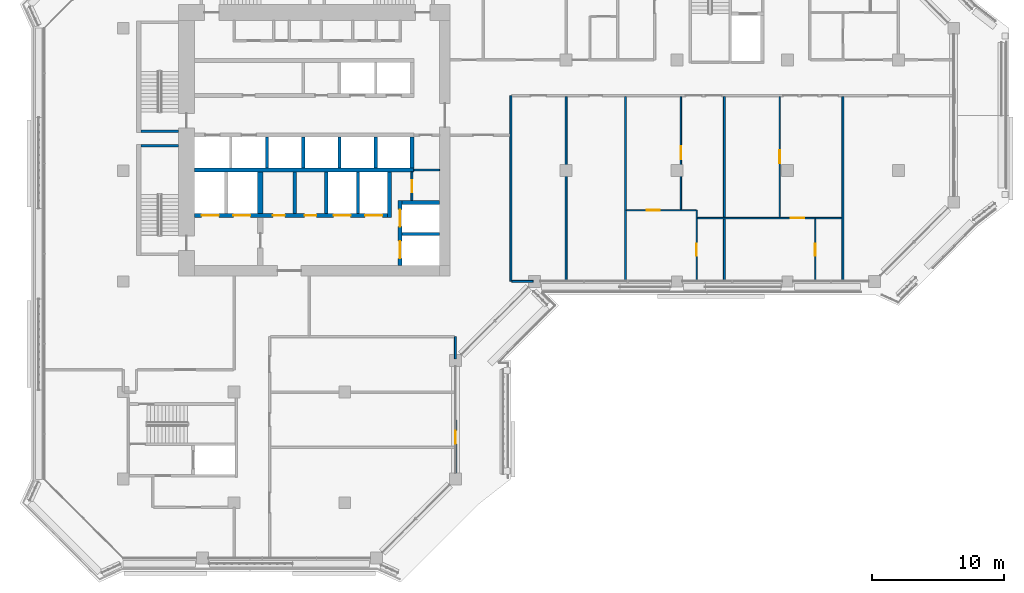
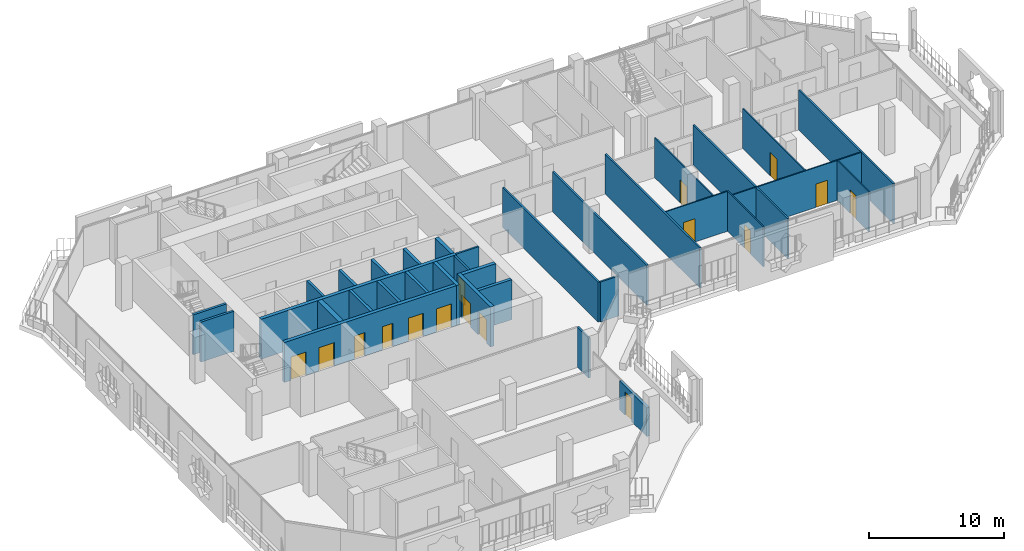
# One storey, part 10 of 20: 33 walls, 16 doors, 16 openings.
"""IFC4 building model written with IfcOpenShell, lengths in metres."""

from ifc_helpers import new_model, si_unit, direction, frame, frame_2d, origin, place, context, subcontext, project, spatial, rectangle, extrude, material, layer, layer_set, type_object, element, fill, save


model = new_model("IFC4")

# Units and contexts
model_context = context("Model", 3, precision=1e-05, world=origin(), true_north=direction((0.0, 1.0)))
body_context = subcontext(model_context, "Body", "Model", "MODEL_VIEW")
ifc_project = project(units=[si_unit("LENGTHUNIT", "METRE"), si_unit("AREAUNIT", "SQUARE_METRE"), si_unit("VOLUMEUNIT", "CUBIC_METRE"), si_unit("PLANEANGLEUNIT", "RADIAN"), si_unit("MASSUNIT", "GRAM", prefix="KILO")], contexts=[model_context])

# Site, building, storey
site_placement = place(None, origin())
site = spatial("IfcSite", under=ifc_project, at=site_placement, CompositionType="ELEMENT")
building_placement = place(site_placement, origin())
building = spatial("IfcBuilding", under=site, at=building_placement, Name="Kawkab Arch Medical Tower", CompositionType="ELEMENT")
storey_placement = place(building_placement, frame((0.0, 0.0, 239.0)))
storey = spatial("IfcBuildingStorey", under=building, at=storey_placement, Name="L55", CompositionType="ELEMENT", Elevation=239.0)

# Wall, opening, door
ifc_material_1 = material(Name="Gypsum board on steel studs", Category="steel")
ifc_layer_1 = layer(ifc_material_1, 0.14990234375)
ifc_layer_set_1 = layer_set([ifc_layer_1], Name="Gypsum board on steel studs")
wall_type_1 = type_object("IfcWallType", Name="Core room partition 150", PredefinedType="PARTITIONING", material=ifc_layer_set_1)
wall_1_placement = place(storey_placement, frame((21.89990234375, -19.050048828125, 0.0), z_axis=(0.0, 0.0, 1.0), x_axis=(0.0, 1.0, 0.0)))
wall_1 = element("IfcWall", 1, at=wall_1_placement, inside=storey, type_object=wall_type_1, Name="L55 core room partition", PredefinedType="PARTITIONING", context=body_context, shape_type="SweptSolid", body=[
    extrude(rectangle(XDim=2.150146484375, YDim=0.14990234375, at=frame_2d((1.0751953125, 0.0))), origin(), (0.0, 0.0, 1.0), 3.60009765625),
])
opening_1_placement = place(wall_1_placement, frame((0.625, 0.0, 0.0)))
opening_1 = element("IfcOpeningElement", 2, at=opening_1_placement, cuts=wall_1, Name="Opening RD", PredefinedType="OPENING", context=body_context, shape_type="SweptSolid", body=[
    extrude(rectangle(XDim=0.89990234375, YDim=2.10009765625, at=frame_2d((0.449951171875, 1.050048828125))), frame((0.0, 0.0849609375, 0.0), z_axis=(0.0, -1.0, 0.0), x_axis=(1.0, 0.0, 0.0)), (0.0, 0.0, 1.0), 0.169921875),
])
ifc_material_2 = material(Name="Hollow metal fire door leaf")
door_type_1 = type_object("IfcDoorType", Name="Core room door 900", OperationType="SINGLE_SWING_LEFT", PredefinedType="DOOR", material=ifc_material_2)
door_1_placement = place(opening_1_placement, origin())
door_1 = element("IfcDoor", 3, at=door_1_placement, inside=storey, type_object=door_type_1, Name="L55 Accessible WC door", OperationType="SINGLE_SWING_LEFT", OverallHeight=2.10009765625, OverallWidth=0.89990234375, PredefinedType="DOOR", context=body_context, shape_type="SweptSolid", body=[
    extrude(rectangle(XDim=0.89990234375, YDim=2.10009765625, at=frame_2d((0.449951171875, 1.050048828125))), frame((0.0, 0.02490234375, 0.0), z_axis=(0.0, -1.0, 0.0), x_axis=(1.0, 0.0, 0.0)), (0.0, 0.0, 1.0), 0.050048828125),
])
fill(opening_1, door_1)

# Walls
wall_2_placement = place(storey_placement, frame((22.050048828125, -16.75, 0.0), z_axis=(0.0, 0.0, 1.0), x_axis=(1.0, 0.0, 0.0)))
element("IfcWall", 4, at=wall_2_placement, inside=storey, type_object=wall_type_1, Name="L55 core room partition", PredefinedType="PARTITIONING", context=body_context, shape_type="SweptSolid", body=[
    extrude(rectangle(XDim=1.949951171875, YDim=0.14990234375, at=frame_2d((0.97509765625, 0.0))), origin(), (0.0, 0.0, 1.0), 3.60009765625),
])
ifc_material_3 = material(Name="Concrete C60/75", Category="concrete")
ifc_layer_2 = layer(ifc_material_3, 0.25)
ifc_layer_set_2 = layer_set([ifc_layer_2], Name="Concrete C60/75")
wall_type_2 = type_object("IfcWallType", Name="Core shear wall 250 C60/75", PredefinedType="SHEAR", material=ifc_layer_set_2)
wall_3_placement = place(storey_placement, frame((21.14990234375, -21.60009765625, 0.0), z_axis=(0.0, 0.0, 1.0), x_axis=(1.0, 0.0, 0.0)))
element("IfcWall", 5, at=wall_3_placement, inside=storey, type_object=wall_type_2, Name="L55 core shear wall", PredefinedType="SHEAR", context=body_context, shape_type="SweptSolid", body=[
    extrude(rectangle(XDim=2.85009765625, YDim=0.25, at=frame_2d((1.425048828125, 0.0))), origin(), (0.0, 0.0, 1.0), 3.60009765625),
])
for number, where, z_axis, x_axis, name in (
    (6, (13.0, -20.050048828125, 0.0), (0.0, 0.0, 1.0), (0.0, 1.0, 0.0), "L55 core shear wall"),
    (7, (15.39990234375, -20.050048828125, 0.0), (0.0, 0.0, 1.0), (0.0, 1.0, 0.0), "L55 core shear wall"),
    (8, (17.800048828125, -20.050048828125, 0.0), (0.0, 0.0, 1.0), (0.0, 1.0, 0.0), "L55 core shear wall"),
):
    element("IfcWall", number, at=place(storey_placement, frame(where, z_axis=z_axis, x_axis=x_axis)), inside=storey, type_object=wall_type_2, Name=name, PredefinedType="SHEAR", context=body_context, shape_type="SweptSolid", body=[
        extrude(rectangle(XDim=3.150146484375, YDim=0.25, at=frame_2d((1.5751953125, 0.0))), origin(), (0.0, 0.0, 1.0), 3.60009765625),
    ])
for number, where, z_axis, x_axis, name in (
    (9, (13.64990234375, -16.60009765625, 0.0), (0.0, 0.0, 1.0), (0.0, 1.0, 0.0), "L55 core shear wall"),
    (10, (16.39990234375, -16.60009765625, 0.0), (0.0, 0.0, 1.0), (0.0, 1.0, 0.0), "L55 core shear wall"),
    (11, (19.14990234375, -16.60009765625, 0.0), (0.0, 0.0, 1.0), (0.0, 1.0, 0.0), "L55 core shear wall"),
):
    element("IfcWall", number, at=place(storey_placement, frame(where, z_axis=z_axis, x_axis=x_axis)), inside=storey, type_object=wall_type_2, Name=name, PredefinedType="SHEAR", context=body_context, shape_type="SweptSolid", body=[
        extrude(rectangle(XDim=2.35009765625, YDim=0.25, at=frame_2d((1.175048828125, 0.0))), origin(), (0.0, 0.0, 1.0), 3.60009765625),
    ])
ifc_material_4 = material(Name="Concrete C60/75", Category="concrete")
ifc_layer_3 = layer(ifc_material_4, 0.300048828125)
ifc_layer_set_3 = layer_set([ifc_layer_3], Name="Concrete C60/75")
wall_type_3 = type_object("IfcWallType", Name="Core shear wall 300 C60/75", PredefinedType="SHEAR", material=ifc_layer_set_3)
wall_4_placement = place(storey_placement, frame((5.39990234375, -16.75, 0.0), z_axis=(0.0, 0.0, 1.0), x_axis=(1.0, 0.0, 0.0)))
element("IfcWall", 12, at=wall_4_placement, inside=storey, type_object=wall_type_3, Name="L55 core shear wall", PredefinedType="SHEAR", context=body_context, shape_type="SweptSolid", body=[
    extrude(rectangle(XDim=16.650146484375, YDim=0.300048828125, at=frame_2d((8.3251953125, 0.0))), origin(), (0.0, 0.0, 1.0), 3.60009765625),
])

# Wall, openings, doors
wall_5_placement = place(storey_placement, frame((5.39990234375, -20.199951171875, 0.0), z_axis=(0.0, 0.0, 1.0), x_axis=(1.0, 0.0, 0.0)))
wall_5 = element("IfcWall", 13, at=wall_5_placement, inside=storey, type_object=wall_type_3, Name="L55 core shear wall", PredefinedType="SHEAR", context=body_context, shape_type="SweptSolid", body=[
    extrude(rectangle(XDim=14.650146484375, YDim=0.300048828125, at=frame_2d((7.3251953125, 0.0))), origin(), (0.0, 0.0, 1.0), 3.60009765625),
])
opening_2_placement = place(wall_5_placement, frame((10.550048828125, 0.0, 0.0)))
opening_2 = element("IfcOpeningElement", 14, at=opening_2_placement, cuts=wall_5, Name="Opening LD2", PredefinedType="OPENING", context=body_context, shape_type="SweptSolid", body=[
    extrude(rectangle(XDim=1.300048828125, YDim=2.10009765625, at=frame_2d((0.64990234375, 1.050048828125))), frame((0.0, 0.159912109375, 0.0), z_axis=(0.0, -1.0, 0.0), x_axis=(1.0, 0.0, 0.0)), (0.0, 0.0, 1.0), 0.320068359375),
])
opening_3_placement = place(wall_5_placement, frame((12.949951171875, 0.0, 0.0)))
opening_3 = element("IfcOpeningElement", 15, at=opening_3_placement, cuts=wall_5, Name="Opening LD2", PredefinedType="OPENING", context=body_context, shape_type="SweptSolid", body=[
    extrude(rectangle(XDim=1.300048828125, YDim=2.10009765625, at=frame_2d((0.64990234375, 1.050048828125))), frame((0.0, 0.159912109375, 0.0), z_axis=(0.0, -1.0, 0.0), x_axis=(1.0, 0.0, 0.0)), (0.0, 0.0, 1.0), 0.320068359375),
])
opening_4_placement = place(wall_5_placement, frame((0.550048828125, 0.0, 0.0)))
opening_4 = element("IfcOpeningElement", 16, at=opening_4_placement, cuts=wall_5, Name="Opening LD2", PredefinedType="OPENING", context=body_context, shape_type="SweptSolid", body=[
    extrude(rectangle(XDim=1.300048828125, YDim=2.10009765625, at=frame_2d((0.64990234375, 1.050048828125))), frame((0.0, 0.159912109375, 0.0), z_axis=(0.0, -1.0, 0.0), x_axis=(1.0, 0.0, 0.0)), (0.0, 0.0, 1.0), 0.320068359375),
])
opening_5_placement = place(wall_5_placement, frame((2.949951171875, 0.0, 0.0)))
opening_5 = element("IfcOpeningElement", 17, at=opening_5_placement, cuts=wall_5, Name="Opening LD2", PredefinedType="OPENING", context=body_context, shape_type="SweptSolid", body=[
    extrude(rectangle(XDim=1.300048828125, YDim=2.10009765625, at=frame_2d((0.64990234375, 1.050048828125))), frame((0.0, 0.159912109375, 0.0), z_axis=(0.0, -1.0, 0.0), x_axis=(1.0, 0.0, 0.0)), (0.0, 0.0, 1.0), 0.320068359375),
])
opening_6_placement = place(wall_5_placement, frame((5.949951171875, 0.0, 0.0)))
opening_6 = element("IfcOpeningElement", 18, at=opening_6_placement, cuts=wall_5, Name="Opening RD", PredefinedType="OPENING", context=body_context, shape_type="SweptSolid", body=[
    extrude(rectangle(XDim=0.89990234375, YDim=2.10009765625, at=frame_2d((0.449951171875, 1.050048828125))), frame((0.0, 0.159912109375, 0.0), z_axis=(0.0, -1.0, 0.0), x_axis=(1.0, 0.0, 0.0)), (0.0, 0.0, 1.0), 0.320068359375),
])
opening_7_placement = place(wall_5_placement, frame((8.35009765625, 0.0, 0.0)))
opening_7 = element("IfcOpeningElement", 19, at=opening_7_placement, cuts=wall_5, Name="Opening RD", PredefinedType="OPENING", context=body_context, shape_type="SweptSolid", body=[
    extrude(rectangle(XDim=0.89990234375, YDim=2.10009765625, at=frame_2d((0.449951171875, 1.050048828125))), frame((0.0, 0.159912109375, 0.0), z_axis=(0.0, -1.0, 0.0), x_axis=(1.0, 0.0, 0.0)), (0.0, 0.0, 1.0), 0.320068359375),
])
door_2_placement = place(opening_6_placement, origin())
door_2 = element("IfcDoor", 20, at=door_2_placement, inside=storey, type_object=door_type_1, Name="L55 Dirty utility room door", OperationType="SINGLE_SWING_LEFT", OverallHeight=2.10009765625, OverallWidth=0.89990234375, PredefinedType="DOOR", context=body_context, shape_type="SweptSolid", body=[
    extrude(rectangle(XDim=0.89990234375, YDim=2.10009765625, at=frame_2d((0.449951171875, 1.050048828125))), frame((0.0, 0.02490234375, 0.0), z_axis=(0.0, -1.0, 0.0), x_axis=(1.0, 0.0, 0.0)), (0.0, 0.0, 1.0), 0.050048828125),
])
fill(opening_6, door_2)
door_3_placement = place(opening_7_placement, origin())
door_3 = element("IfcDoor", 21, at=door_3_placement, inside=storey, type_object=door_type_1, Name="L55 Medication store door", OperationType="SINGLE_SWING_LEFT", OverallHeight=2.10009765625, OverallWidth=0.89990234375, PredefinedType="DOOR", context=body_context, shape_type="SweptSolid", body=[
    extrude(rectangle(XDim=0.89990234375, YDim=2.10009765625, at=frame_2d((0.449951171875, 1.050048828125))), frame((0.0, 0.02490234375, 0.0), z_axis=(0.0, -1.0, 0.0), x_axis=(1.0, 0.0, 0.0)), (0.0, 0.0, 1.0), 0.050048828125),
])
fill(opening_7, door_3)
ifc_material_5 = material(Name="Stainless steel lift door leaf", Category="steel")
door_type_2 = type_object("IfcDoorType", Name="Lift landing door 1300", OperationType="DOUBLE_DOOR_SLIDING", PredefinedType="DOOR", material=ifc_material_5)
door_4_placement = place(opening_2_placement, origin())
door_4 = element("IfcDoor", 22, at=door_4_placement, inside=storey, type_object=door_type_2, Name="L55 Lift landing door BD3", OperationType="DOUBLE_DOOR_SLIDING", OverallHeight=2.10009765625, OverallWidth=1.300048828125, PredefinedType="DOOR", context=body_context, shape_type="SweptSolid", body=[
    extrude(rectangle(XDim=1.300048828125, YDim=2.10009765625, at=frame_2d((0.64990234375, 1.050048828125))), frame((0.0, 0.02490234375, 0.0), z_axis=(0.0, -1.0, 0.0), x_axis=(1.0, 0.0, 0.0)), (0.0, 0.0, 1.0), 0.050048828125),
])
fill(opening_2, door_4)
door_5_placement = place(opening_3_placement, origin())
door_5 = element("IfcDoor", 23, at=door_5_placement, inside=storey, type_object=door_type_2, Name="L55 Lift landing door BD4", OperationType="DOUBLE_DOOR_SLIDING", OverallHeight=2.10009765625, OverallWidth=1.300048828125, PredefinedType="DOOR", context=body_context, shape_type="SweptSolid", body=[
    extrude(rectangle(XDim=1.300048828125, YDim=2.10009765625, at=frame_2d((0.64990234375, 1.050048828125))), frame((0.0, 0.02490234375, 0.0), z_axis=(0.0, -1.0, 0.0), x_axis=(1.0, 0.0, 0.0)), (0.0, 0.0, 1.0), 0.050048828125),
])
fill(opening_3, door_5)
door_6_placement = place(opening_4_placement, origin())
door_6 = element("IfcDoor", 24, at=door_6_placement, inside=storey, type_object=door_type_2, Name="L55 Lift landing door FL1", OperationType="DOUBLE_DOOR_SLIDING", OverallHeight=2.10009765625, OverallWidth=1.300048828125, PredefinedType="DOOR", context=body_context, shape_type="SweptSolid", body=[
    extrude(rectangle(XDim=1.300048828125, YDim=2.10009765625, at=frame_2d((0.64990234375, 1.050048828125))), frame((0.0, 0.02490234375, 0.0), z_axis=(0.0, -1.0, 0.0), x_axis=(1.0, 0.0, 0.0)), (0.0, 0.0, 1.0), 0.050048828125),
])
fill(opening_4, door_6)
door_7_placement = place(opening_5_placement, origin())
door_7 = element("IfcDoor", 25, at=door_7_placement, inside=storey, type_object=door_type_2, Name="L55 Lift landing door FL2", OperationType="DOUBLE_DOOR_SLIDING", OverallHeight=2.10009765625, OverallWidth=1.300048828125, PredefinedType="DOOR", context=body_context, shape_type="SweptSolid", body=[
    extrude(rectangle(XDim=1.300048828125, YDim=2.10009765625, at=frame_2d((0.64990234375, 1.050048828125))), frame((0.0, 0.02490234375, 0.0), z_axis=(0.0, -1.0, 0.0), x_axis=(1.0, 0.0, 0.0)), (0.0, 0.0, 1.0), 0.050048828125),
])
fill(opening_5, door_7)

# Walls
wall_6_placement = place(storey_placement, frame((20.199951171875, -20.35009765625, 0.0), z_axis=(0.0, 0.0, 1.0), x_axis=(0.0, 1.0, 0.0)))
element("IfcWall", 26, at=wall_6_placement, inside=storey, type_object=wall_type_3, Name="L55 core shear wall", PredefinedType="SHEAR", context=body_context, shape_type="SweptSolid", body=[
    extrude(rectangle(XDim=3.4501953125, YDim=0.300048828125, at=frame_2d((1.72509765625, 0.0))), origin(), (0.0, 0.0, 1.0), 3.60009765625),
])
wall_7_placement = place(storey_placement, frame((21.89990234375, -16.60009765625, 0.0), z_axis=(0.0, 0.0, 1.0), x_axis=(0.0, 1.0, 0.0)))
element("IfcWall", 27, at=wall_7_placement, inside=storey, type_object=wall_type_3, Name="L55 core shear wall", PredefinedType="SHEAR", context=body_context, shape_type="SweptSolid", body=[
    extrude(rectangle(XDim=2.35009765625, YDim=0.300048828125, at=frame_2d((1.175048828125, 0.0))), origin(), (0.0, 0.0, 1.0), 3.60009765625),
])
wall_8_placement = place(storey_placement, frame((21.14990234375, -19.199951171875, 0.0), z_axis=(0.0, 0.0, 1.0), x_axis=(1.0, 0.0, 0.0)))
element("IfcWall", 28, at=wall_8_placement, inside=storey, type_object=wall_type_3, Name="L55 core shear wall", PredefinedType="SHEAR", context=body_context, shape_type="SweptSolid", body=[
    extrude(rectangle(XDim=2.85009765625, YDim=0.300048828125, at=frame_2d((1.425048828125, 0.0))), origin(), (0.0, 0.0, 1.0), 3.60009765625),
])

# Wall, openings, doors
wall_9_placement = place(storey_placement, frame((21.0, -24.0, 0.0), z_axis=(0.0, 0.0, 1.0), x_axis=(0.0, 1.0, 0.0)))
wall_9 = element("IfcWall", 29, at=wall_9_placement, inside=storey, type_object=wall_type_3, Name="L55 core shear wall", PredefinedType="SHEAR", context=body_context, shape_type="SweptSolid", body=[
    extrude(rectangle(XDim=4.949951171875, YDim=0.300048828125, at=frame_2d((2.47509765625, 0.0))), origin(), (0.0, 0.0, 1.0), 3.60009765625),
])
opening_8_placement = place(wall_9_placement, frame((2.949951171875, 0.0, 0.0)))
opening_8 = element("IfcOpeningElement", 30, at=opening_8_placement, cuts=wall_9, Name="Opening LD2", PredefinedType="OPENING", context=body_context, shape_type="SweptSolid", body=[
    extrude(rectangle(XDim=1.300048828125, YDim=2.10009765625, at=frame_2d((0.64990234375, 1.050048828125))), frame((0.0, 0.159912109375, 0.0), z_axis=(0.0, -1.0, 0.0), x_axis=(1.0, 0.0, 0.0)), (0.0, 0.0, 1.0), 0.320068359375),
])
opening_9_placement = place(wall_9_placement, frame((0.550048828125, 0.0, 0.0)))
opening_9 = element("IfcOpeningElement", 31, at=opening_9_placement, cuts=wall_9, Name="Opening LD2", PredefinedType="OPENING", context=body_context, shape_type="SweptSolid", body=[
    extrude(rectangle(XDim=1.300048828125, YDim=2.10009765625, at=frame_2d((0.64990234375, 1.050048828125))), frame((0.0, 0.159912109375, 0.0), z_axis=(0.0, -1.0, 0.0), x_axis=(1.0, 0.0, 0.0)), (0.0, 0.0, 1.0), 0.320068359375),
])
door_8_placement = place(opening_8_placement, origin())
door_8 = element("IfcDoor", 32, at=door_8_placement, inside=storey, type_object=door_type_2, Name="L55 Lift landing door BD1", OperationType="DOUBLE_DOOR_SLIDING", OverallHeight=2.10009765625, OverallWidth=1.300048828125, PredefinedType="DOOR", context=body_context, shape_type="SweptSolid", body=[
    extrude(rectangle(XDim=1.300048828125, YDim=2.10009765625, at=frame_2d((0.64990234375, 1.050048828125))), frame((0.0, 0.02490234375, 0.0), z_axis=(0.0, -1.0, 0.0), x_axis=(1.0, 0.0, 0.0)), (0.0, 0.0, 1.0), 0.050048828125),
])
fill(opening_8, door_8)
door_9_placement = place(opening_9_placement, origin())
door_9 = element("IfcDoor", 33, at=door_9_placement, inside=storey, type_object=door_type_2, Name="L55 Lift landing door BD2", OperationType="DOUBLE_DOOR_SLIDING", OverallHeight=2.10009765625, OverallWidth=1.300048828125, PredefinedType="DOOR", context=body_context, shape_type="SweptSolid", body=[
    extrude(rectangle(XDim=1.300048828125, YDim=2.10009765625, at=frame_2d((0.64990234375, 1.050048828125))), frame((0.0, 0.02490234375, 0.0), z_axis=(0.0, -1.0, 0.0), x_axis=(1.0, 0.0, 0.0)), (0.0, 0.0, 1.0), 0.050048828125),
])
fill(opening_9, door_9)

# Wall
ifc_material_6 = material(Name="Concrete C60/75", Category="concrete")
ifc_layer_4 = layer(ifc_material_6, 0.39990234375)
ifc_layer_set_4 = layer_set([ifc_layer_4], Name="Concrete C60/75")
wall_type_4 = type_object("IfcWallType", Name="Core shear wall 400 C60/75", PredefinedType="SHEAR", material=ifc_layer_set_4)
wall_10_placement = place(storey_placement, frame((10.39990234375, -20.050048828125, 0.0), z_axis=(0.0, 0.0, 1.0), x_axis=(0.0, 1.0, 0.0)))
element("IfcWall", 34, at=wall_10_placement, inside=storey, type_object=wall_type_4, Name="L55 core shear wall", PredefinedType="SHEAR", context=body_context, shape_type="SweptSolid", body=[
    extrude(rectangle(XDim=3.150146484375, YDim=0.39990234375, at=frame_2d((1.5751953125, 0.0))), origin(), (0.0, 0.0, 1.0), 3.60009765625),
])

# Wall, opening, door
ifc_material_7 = material(Name="Bronze clad insulated wall panel")
ifc_layer_5 = layer(ifc_material_7, 0.25)
ifc_layer_set_5 = layer_set([ifc_layer_5], Name="Bronze clad insulated wall panel")
wall_type_5 = type_object("IfcWallType", Name="External wall bay 250", PredefinedType="SOLIDWALL", material=ifc_layer_set_5)
wall_11_placement = place(storey_placement, frame((25.199951171875, -39.75, 0.0), z_axis=(0.0, 0.0, 1.0), x_axis=(0.0, 1.0, 0.0)))
wall_11 = element("IfcWall", 35, at=wall_11_placement, inside=storey, type_object=wall_type_5, Name="External wall bay L55.R05.1.1", PredefinedType="SOLIDWALL", context=body_context, shape_type="SweptSolid", body=[
    extrude(rectangle(XDim=4.050048828125, YDim=0.25, at=frame_2d((2.02490234375, 0.0))), origin(), (0.0, 0.0, 1.0), 2.580078125),
])
opening_10_placement = place(wall_11_placement, frame((2.22509765625, 0.0, 0.0)))
opening_10 = element("IfcOpeningElement", 36, at=opening_10_placement, cuts=wall_11, Name="Opening W55-701", PredefinedType="OPENING", context=body_context, shape_type="SweptSolid", body=[
    extrude(rectangle(XDim=1.0, YDim=2.10009765625, at=frame_2d((0.5, 1.050048828125))), frame((0.0, 0.135009765625, 0.0), z_axis=(0.0, -1.0, 0.0), x_axis=(1.0, 0.0, 0.0)), (0.0, 0.0, 1.0), 0.27001953125),
])
ifc_material_8 = material(Name="Bronze anodised aluminium door with tinted glass", Category="aluminium")
door_type_3 = type_object("IfcDoorType", Name="Single external door 1000 x 2100", OperationType="SINGLE_SWING_LEFT", PredefinedType="DOOR", material=ifc_material_8)
door_10_placement = place(opening_10_placement, origin())
door_10 = element("IfcDoor", 37, at=door_10_placement, inside=storey, type_object=door_type_3, Name="External door L55.R05.1.1", OperationType="SINGLE_SWING_LEFT", OverallHeight=2.10009765625, OverallWidth=1.0, PredefinedType="DOOR", context=body_context, shape_type="SweptSolid", body=[
    extrude(rectangle(XDim=1.0, YDim=2.10009765625, at=frame_2d((0.5, 1.050048828125))), frame((0.0, 0.02490234375, 0.0), z_axis=(0.0, -1.0, 0.0), x_axis=(1.0, 0.0, 0.0)), (0.0, 0.0, 1.0), 0.050048828125),
])
fill(opening_10, door_10)

# Wall
ifc_material_9 = material(Name="Dense concrete blockwork", Category="masonry")
ifc_layer_6 = layer(ifc_material_9, 0.199951171875)
ifc_layer_set_6 = layer_set([ifc_layer_6], Name="Dense concrete blockwork")
wall_type_6 = type_object("IfcWallType", Name="Lift shaft partition 200", PredefinedType="PARTITIONING", material=ifc_layer_set_6)
wall_12_placement = place(storey_placement, frame((10.89990234375, -16.60009765625, 0.0), z_axis=(0.0, 0.0, 1.0), x_axis=(0.0, 1.0, 0.0)))
element("IfcWall", 38, at=wall_12_placement, inside=storey, type_object=wall_type_6, Name="L55 lift shaft partition", PredefinedType="PARTITIONING", context=body_context, shape_type="SweptSolid", body=[
    extrude(rectangle(XDim=2.35009765625, YDim=0.199951171875, at=frame_2d((1.175048828125, 0.0))), origin(), (0.0, 0.0, 1.0), 3.60009765625),
])

# Wall, opening, door
ifc_material_10 = material(Name="Gypsum board partition on steel studs", Category="steel")
ifc_layer_7 = layer(ifc_material_10, 0.10009765625)
ifc_layer_set_7 = layer_set([ifc_layer_7], Name="Gypsum board partition on steel studs")
wall_type_7 = type_object("IfcWallType", Name="Partition 100", PredefinedType="PARTITIONING", material=ifc_layer_set_7)
wall_13_placement = place(storey_placement, frame((43.550048828125, -20.39990234375, 0.0), z_axis=(0.0, 0.0, 1.0), x_axis=(1.0, 0.0, 0.0)))
wall_13 = element("IfcWall", 39, at=wall_13_placement, inside=storey, type_object=wall_type_7, Name="Partition 100 w001", PredefinedType="PARTITIONING", context=body_context, shape_type="SweptSolid", body=[
    extrude(rectangle(XDim=10.974853515625, YDim=0.10009765625, at=frame_2d((5.4873046875, 0.0))), origin(), (0.0, 0.0, 1.0), 3.60009765625),
])
opening_11_placement = place(wall_13_placement, frame((7.10009765625, 0.0, 0.0)))
opening_11 = element("IfcOpeningElement", 40, at=opening_11_placement, cuts=wall_13, Name="Opening W55-014", PredefinedType="OPENING", context=body_context, shape_type="SweptSolid", body=[
    extrude(rectangle(XDim=1.0, YDim=2.10009765625, at=frame_2d((0.5, 1.050048828125))), frame((0.0, 0.06005859375, 0.0), z_axis=(0.0, -1.0, 0.0), x_axis=(1.0, 0.0, 0.0)), (0.0, 0.0, 1.0), 0.1201171875),
])
ifc_material_11 = material(Name="Timber door leaf", Category="wood")
door_type_4 = type_object("IfcDoorType", Name="Single door 1000x2100", OperationType="NOTDEFINED", PredefinedType="DOOR", material=ifc_material_11)
door_11_placement = place(opening_11_placement, origin())
door_11 = element("IfcDoor", 41, at=door_11_placement, inside=storey, type_object=door_type_4, Name="Door W55-014", OperationType="SINGLE_SWING_LEFT", OverallHeight=2.10009765625, OverallWidth=1.0, PredefinedType="DOOR", context=body_context, shape_type="SweptSolid", body=[
    extrude(rectangle(XDim=1.0, YDim=2.10009765625, at=frame_2d((0.5, 1.050048828125))), frame((0.0, 0.02490234375, 0.0), z_axis=(0.0, -1.0, 0.0), x_axis=(1.0, 0.0, 0.0)), (0.0, 0.0, 1.0), 0.050048828125),
])
fill(opening_11, door_11)

wall_14_placement = place(storey_placement, frame((38.175048828125, -19.800048828125, 0.0), z_axis=(0.0, 0.0, 1.0), x_axis=(1.0, 0.0, 0.0)))
wall_14 = element("IfcWall", 42, at=wall_14_placement, inside=storey, type_object=wall_type_7, Name="Partition 100 w002", PredefinedType="PARTITIONING", context=body_context, shape_type="SweptSolid", body=[
    extrude(rectangle(XDim=5.27490234375, YDim=0.10009765625, at=frame_2d((2.637451171875, 0.0))), origin(), (0.0, 0.0, 1.0), 3.60009765625),
])
opening_12_placement = place(wall_14_placement, frame((1.52490234375, 0.0, 0.0)))
opening_12 = element("IfcOpeningElement", 43, at=opening_12_placement, cuts=wall_14, Name="Opening W55-012", PredefinedType="OPENING", context=body_context, shape_type="SweptSolid", body=[
    extrude(rectangle(XDim=1.0, YDim=2.10009765625, at=frame_2d((0.5, 1.050048828125))), frame((0.0, 0.06005859375, 0.0), z_axis=(0.0, -1.0, 0.0), x_axis=(1.0, 0.0, 0.0)), (0.0, 0.0, 1.0), 0.1201171875),
])
door_12_placement = place(opening_12_placement, origin())
door_12 = element("IfcDoor", 44, at=door_12_placement, inside=storey, type_object=door_type_4, Name="Door W55-012", OperationType="SINGLE_SWING_RIGHT", OverallHeight=2.10009765625, OverallWidth=1.0, PredefinedType="DOOR", context=body_context, shape_type="SweptSolid", body=[
    extrude(rectangle(XDim=1.0, YDim=2.10009765625, at=frame_2d((0.5, 1.050048828125))), frame((0.0, 0.02490234375, 0.0), z_axis=(0.0, -1.0, 0.0), x_axis=(1.0, 0.0, 0.0)), (0.0, 0.0, 1.0), 0.050048828125),
])
fill(opening_12, door_12)

wall_15_placement = place(storey_placement, frame((42.300048828125, -19.75, 0.0), z_axis=(0.0, 0.0, 1.0), x_axis=(0.0, 1.0, 0.0)))
wall_15 = element("IfcWall", 45, at=wall_15_placement, inside=storey, type_object=wall_type_7, Name="Partition 100 w006", PredefinedType="PARTITIONING", context=body_context, shape_type="SweptSolid", body=[
    extrude(rectangle(XDim=8.574951171875, YDim=0.10009765625, at=frame_2d((4.28759765625, 0.0))), origin(), (0.0, 0.0, 1.0), 3.60009765625),
])
opening_13_placement = place(wall_15_placement, frame((3.800048828125, 0.0, 0.0)))
opening_13 = element("IfcOpeningElement", 46, at=opening_13_placement, cuts=wall_15, Name="Opening W55-013", PredefinedType="OPENING", context=body_context, shape_type="SweptSolid", body=[
    extrude(rectangle(XDim=1.0, YDim=2.10009765625, at=frame_2d((0.5, 1.050048828125))), frame((0.0, 0.06005859375, 0.0), z_axis=(0.0, -1.0, 0.0), x_axis=(1.0, 0.0, 0.0)), (0.0, 0.0, 1.0), 0.1201171875),
])
door_13_placement = place(opening_13_placement, origin())
door_13 = element("IfcDoor", 47, at=door_13_placement, inside=storey, type_object=door_type_4, Name="Door W55-013", OperationType="SINGLE_SWING_LEFT", OverallHeight=2.10009765625, OverallWidth=1.0, PredefinedType="DOOR", context=body_context, shape_type="SweptSolid", body=[
    extrude(rectangle(XDim=1.0, YDim=2.10009765625, at=frame_2d((0.5, 1.050048828125))), frame((0.0, 0.02490234375, 0.0), z_axis=(0.0, -1.0, 0.0), x_axis=(1.0, 0.0, 0.0)), (0.0, 0.0, 1.0), 0.050048828125),
])
fill(opening_13, door_13)

wall_16_placement = place(storey_placement, frame((43.5, -25.1201171875, 0.0), z_axis=(0.0, 0.0, 1.0), x_axis=(0.0, 1.0, 0.0)))
wall_16 = element("IfcWall", 48, at=wall_16_placement, inside=storey, type_object=wall_type_7, Name="Partition 100 w007", PredefinedType="PARTITIONING", context=body_context, shape_type="SweptSolid", body=[
    extrude(rectangle(XDim=5.320068359375, YDim=0.10009765625, at=frame_2d((2.66015625, 0.0))), origin(), (0.0, 0.0, 1.0), 3.60009765625),
])
opening_14_placement = place(wall_16_placement, frame((1.8701171875, 0.0, 0.0)))
opening_14 = element("IfcOpeningElement", 49, at=opening_14_placement, cuts=wall_16, Name="Opening W55-007", PredefinedType="OPENING", context=body_context, shape_type="SweptSolid", body=[
    extrude(rectangle(XDim=0.89990234375, YDim=2.10009765625, at=frame_2d((0.449951171875, 1.050048828125))), frame((0.0, 0.06005859375, 0.0), z_axis=(0.0, -1.0, 0.0), x_axis=(1.0, 0.0, 0.0)), (0.0, 0.0, 1.0), 0.1201171875),
])
ifc_material_12 = material(Name="Timber door leaf", Category="wood")
door_type_5 = type_object("IfcDoorType", Name="Single door 900x2100", OperationType="NOTDEFINED", PredefinedType="DOOR", material=ifc_material_12)
door_14_placement = place(opening_14_placement, origin())
door_14 = element("IfcDoor", 50, at=door_14_placement, inside=storey, type_object=door_type_5, Name="Door W55-007", OperationType="SINGLE_SWING_LEFT", OverallHeight=2.10009765625, OverallWidth=0.89990234375, PredefinedType="DOOR", context=body_context, shape_type="SweptSolid", body=[
    extrude(rectangle(XDim=0.89990234375, YDim=2.10009765625, at=frame_2d((0.449951171875, 1.050048828125))), frame((0.0, 0.02490234375, 0.0), z_axis=(0.0, -1.0, 0.0), x_axis=(1.0, 0.0, 0.0)), (0.0, 0.0, 1.0), 0.050048828125),
])
fill(opening_14, door_14)

wall_17_placement = place(storey_placement, frame((49.800048828125, -20.35009765625, 0.0), z_axis=(0.0, 0.0, 1.0), x_axis=(0.0, 1.0, 0.0)))
wall_17 = element("IfcWall", 51, at=wall_17_placement, inside=storey, type_object=wall_type_7, Name="Partition 100 w008", PredefinedType="PARTITIONING", context=body_context, shape_type="SweptSolid", body=[
    extrude(rectangle(XDim=9.175048828125, YDim=0.10009765625, at=frame_2d((4.58740234375, 0.0))), origin(), (0.0, 0.0, 1.0), 3.60009765625),
])
opening_15_placement = place(wall_17_placement, frame((4.10009765625, 0.0, 0.0)))
opening_15 = element("IfcOpeningElement", 52, at=opening_15_placement, cuts=wall_17, Name="Opening W55-015", PredefinedType="OPENING", context=body_context, shape_type="SweptSolid", body=[
    extrude(rectangle(XDim=1.0, YDim=2.10009765625, at=frame_2d((0.5, 1.050048828125))), frame((0.0, 0.06005859375, 0.0), z_axis=(0.0, -1.0, 0.0), x_axis=(1.0, 0.0, 0.0)), (0.0, 0.0, 1.0), 0.1201171875),
])
door_15_placement = place(opening_15_placement, origin())
door_15 = element("IfcDoor", 53, at=door_15_placement, inside=storey, type_object=door_type_4, Name="Door W55-015", OperationType="SINGLE_SWING_LEFT", OverallHeight=2.10009765625, OverallWidth=1.0, PredefinedType="DOOR", context=body_context, shape_type="SweptSolid", body=[
    extrude(rectangle(XDim=1.0, YDim=2.10009765625, at=frame_2d((0.5, 1.050048828125))), frame((0.0, 0.02490234375, 0.0), z_axis=(0.0, -1.0, 0.0), x_axis=(1.0, 0.0, 0.0)), (0.0, 0.0, 1.0), 0.050048828125),
])
fill(opening_15, door_15)

wall_18_placement = place(storey_placement, frame((52.5, -25.1201171875, 0.0), z_axis=(0.0, 0.0, 1.0), x_axis=(0.0, 1.0, 0.0)))
wall_18 = element("IfcWall", 54, at=wall_18_placement, inside=storey, type_object=wall_type_7, Name="Partition 100 w009", PredefinedType="PARTITIONING", context=body_context, shape_type="SweptSolid", body=[
    extrude(rectangle(XDim=4.670166015625, YDim=0.10009765625, at=frame_2d((2.3349609375, 0.0))), origin(), (0.0, 0.0, 1.0), 3.60009765625),
])
opening_16_placement = place(wall_18_placement, frame((1.8701171875, 0.0, 0.0)))
opening_16 = element("IfcOpeningElement", 55, at=opening_16_placement, cuts=wall_18, Name="Opening W55-008", PredefinedType="OPENING", context=body_context, shape_type="SweptSolid", body=[
    extrude(rectangle(XDim=0.89990234375, YDim=2.10009765625, at=frame_2d((0.449951171875, 1.050048828125))), frame((0.0, 0.06005859375, 0.0), z_axis=(0.0, -1.0, 0.0), x_axis=(1.0, 0.0, 0.0)), (0.0, 0.0, 1.0), 0.1201171875),
])
door_16_placement = place(opening_16_placement, origin())
door_16 = element("IfcDoor", 56, at=door_16_placement, inside=storey, type_object=door_type_5, Name="Door W55-008", OperationType="SINGLE_SWING_LEFT", OverallHeight=2.10009765625, OverallWidth=0.89990234375, PredefinedType="DOOR", context=body_context, shape_type="SweptSolid", body=[
    extrude(rectangle(XDim=0.89990234375, YDim=2.10009765625, at=frame_2d((0.449951171875, 1.050048828125))), frame((0.0, 0.02490234375, 0.0), z_axis=(0.0, -1.0, 0.0), x_axis=(1.0, 0.0, 0.0)), (0.0, 0.0, 1.0), 0.050048828125),
])
fill(opening_16, door_16)

# Walls
ifc_material_13 = material(Name="Gypsum board partition on steel studs, mineral wool", Category="steel")
ifc_layer_8 = layer(ifc_material_13, 0.14990234375)
ifc_layer_set_8 = layer_set([ifc_layer_8], Name="Gypsum board partition on steel studs, mineral wool")
wall_type_8 = type_object("IfcWallType", Name="Partition 150", PredefinedType="PARTITIONING", material=ifc_layer_set_8)
wall_19_placement = place(storey_placement, frame((29.47509765625, -25.199951171875, 0.0), z_axis=(0.0, 0.0, 1.0), x_axis=(1.0, 0.0, 0.0)))
element("IfcWall", 57, at=wall_19_placement, inside=storey, type_object=wall_type_8, Name="Partition 150 w019", PredefinedType="PARTITIONING", context=body_context, shape_type="SweptSolid", body=[
    extrude(rectangle(XDim=1.61181640625, YDim=0.14990234375, at=frame_2d((0.805908203125, 0.0))), origin(), (0.0, 0.0, 1.0), 3.60009765625),
])
wall_20_placement = place(storey_placement, frame((25.199951171875, -31.0869140625, 0.0), z_axis=(0.0, 0.0, 1.0), x_axis=(0.0, 1.0, 0.0)))
element("IfcWall", 58, at=wall_20_placement, inside=storey, type_object=wall_type_8, Name="Partition 150 w036", PredefinedType="PARTITIONING", context=body_context, shape_type="SweptSolid", body=[
    extrude(rectangle(XDim=1.68701171875, YDim=0.14990234375, at=frame_2d((0.843505859375, 0.0))), origin(), (0.0, 0.0, 1.0), 3.60009765625),
])
wall_21_placement = place(storey_placement, frame((29.39990234375, -25.199951171875, 0.0), z_axis=(0.0, 0.0, 1.0), x_axis=(0.0, 1.0, 0.0)))
element("IfcWall", 59, at=wall_21_placement, inside=storey, type_object=wall_type_8, Name="Partition 150 w038", PredefinedType="PARTITIONING", context=body_context, shape_type="SweptSolid", body=[
    extrude(rectangle(XDim=14.099853515625, YDim=0.14990234375, at=frame_2d((7.0498046875, 0.0))), origin(), (0.0, 0.0, 1.0), 3.60009765625),
])
for number, where, z_axis, x_axis, name in (
    (60, (33.60009765625, -25.1201171875, 0.0), (0.0, 0.0, 1.0), (0.0, 1.0, 0.0), "Partition 150 w039"),
    (61, (38.10009765625, -25.1201171875, 0.0), (0.0, 0.0, 1.0), (0.0, 1.0, 0.0), "Partition 150 w042"),
    (62, (45.60009765625, -25.1201171875, 0.0), (0.0, 0.0, 1.0), (0.0, 1.0, 0.0), "Partition 150 w044"),
    (63, (54.60009765625, -25.1201171875, 0.0), (0.0, 0.0, 1.0), (0.0, 1.0, 0.0), "Partition 150 w048"),
):
    element("IfcWall", number, at=place(storey_placement, frame(where, z_axis=z_axis, x_axis=x_axis)), inside=storey, type_object=wall_type_8, Name=name, PredefinedType="PARTITIONING", context=body_context, shape_type="SweptSolid", body=[
        extrude(rectangle(XDim=13.945068359375, YDim=0.14990234375, at=frame_2d((6.97265625, 0.0))), origin(), (0.0, 0.0, 1.0), 3.60009765625),
    ])
ifc_material_14 = material(Name="Concrete C50/60", Category="concrete")
ifc_layer_9 = layer(ifc_material_14, 0.199951171875)
ifc_layer_set_9 = layer_set([ifc_layer_9], Name="Concrete C50/60")
wall_type_9 = type_object("IfcWallType", Name="Stair enclosure wall 200 C50/60", PredefinedType="SHEAR", material=ifc_layer_set_9)
for number, where, z_axis, x_axis, name in (
    (64, (1.35009765625, -13.800048828125, 0.0), (0.0, 0.0, 1.0), (1.0, 0.0, 0.0), "L55 stair enclosure wall"),
    (65, (1.35009765625, -14.89990234375, 0.0), (0.0, 0.0, 1.0), (1.0, 0.0, 0.0), "L55 stair enclosure wall"),
):
    element("IfcWall", number, at=place(storey_placement, frame(where, z_axis=z_axis, x_axis=x_axis)), inside=storey, type_object=wall_type_9, Name=name, PredefinedType="SHEAR", context=body_context, shape_type="SweptSolid", body=[
        extrude(rectangle(XDim=2.849853515625, YDim=0.199951171875, at=frame_2d((1.4248046875, 0.0))), origin(), (0.0, 0.0, 1.0), 3.60009765625),
    ])

save(model, "model.ifc")
